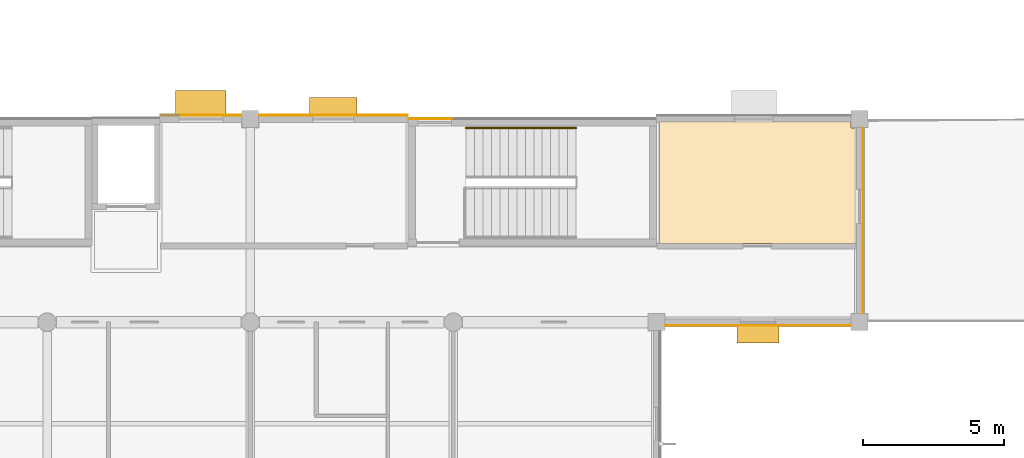
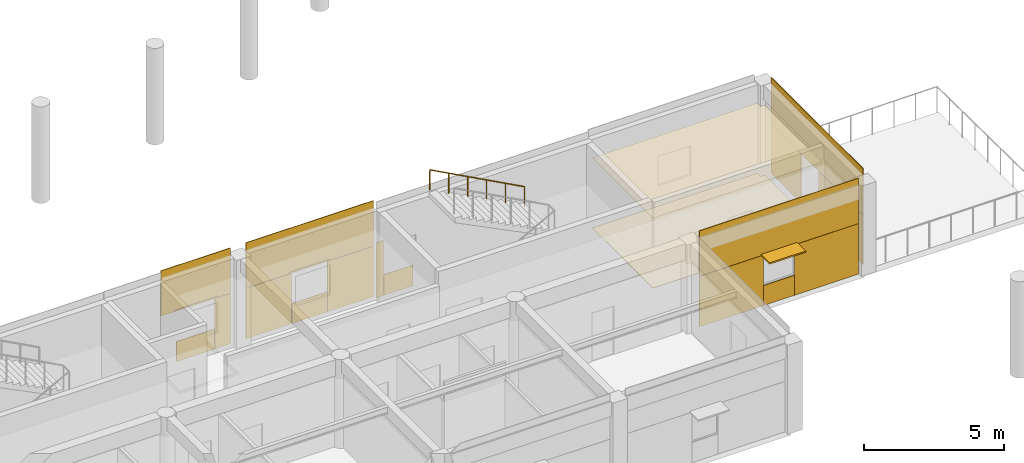
# One storey, part 44 of 55: 18 coverings, 3 shading devices, 1 railing.
"""IFC4 building model written with IfcOpenShell, lengths in metres."""

from ifc_helpers import new_model, si_unit, direction, frame, origin, origin_2d, place, context, subcontext, project, spatial, polyline, rectangle, circle, outline, extrude, material, layer, layer_set, type_object, element, save


model = new_model("IFC4")

# Units and contexts
model_context = context("Model", 3, precision=1e-05, world=origin(), true_north=direction((0.0, 1.0)))
body_context = subcontext(model_context, "Body", "Model", "MODEL_VIEW")
ifc_project = project(units=[si_unit("LENGTHUNIT", "METRE"), si_unit("AREAUNIT", "SQUARE_METRE"), si_unit("VOLUMEUNIT", "CUBIC_METRE"), si_unit("PLANEANGLEUNIT", "RADIAN"), si_unit("MASSUNIT", "GRAM", prefix="KILO")], contexts=[model_context])

# Site, building, storey
site_placement = place(None, origin())
site = spatial("IfcSite", under=ifc_project, at=site_placement, CompositionType="ELEMENT")
building_placement = place(site_placement, origin())
building = spatial("IfcBuilding", under=site, at=building_placement, Name="Namkhue Oval Health Centre", CompositionType="ELEMENT")
storey_placement = place(building_placement, frame((0.0, 0.0, 9.60009765625)))
storey = spatial("IfcBuildingStorey", under=building, at=storey_placement, Name="L02", CompositionType="ELEMENT", Elevation=9.60009765625)

# Coverings
ifc_material_1 = material(Name="Acoustic mineral-fibre cleanroom ceiling", Category="gypsum")
ifc_layer_1 = layer(ifc_material_1, 0.02001953125)
ifc_layer_set_1 = layer_set([ifc_layer_1], Name="Acoustic mineral-fibre cleanroom ceiling")
covering_type_1 = type_object("IfcCoveringType", Name="ACOUSTIC CLEANROOM CEILING 20", PredefinedType="CEILING", material=ifc_layer_set_1)
covering_1_placement = place(storey_placement, frame((0.0, 0.0, 3.0498046875)))
element("IfcCovering", 1, at=covering_1_placement, inside=storey, type_object=covering_type_1, Name="Acoustic Ceiling L02-509 Cognitive Behavioural Therapy Room", PredefinedType="CEILING", context=body_context, shape_type="SweptSolid", body=[
    extrude(outline(polyline([(122.47998046875, 24.3798828125), (122.47998046875, 28.715087890625), (129.2900390625, 28.715087890625), (129.2900390625, 28.489990234375), (129.455078125, 28.489990234375), (129.455078125, 24.3798828125), (122.47998046875, 24.3798828125)])), origin(), (0.0, 0.0, 1.0), 0.02001953125),
])
ifc_material_2 = material(Name="Homogeneous anti-bacterial clinical vinyl flooring", Category="plastic")
ifc_layer_2 = layer(ifc_material_2, 0.014892578125)
ifc_layer_set_2 = layer_set([ifc_layer_2], Name="Homogeneous anti-bacterial clinical vinyl flooring")
covering_type_2 = type_object("IfcCoveringType", Name="CLINICAL ANTIBACTERIAL VINYL FLOORING 15", PredefinedType="FLOORING", material=ifc_layer_set_2)
covering_2_placement = place(storey_placement, origin())
element("IfcCovering", 2, at=covering_2_placement, inside=storey, type_object=covering_type_2, Name="Clinical Flooring L02-509 Cognitive Behavioural Therapy Room", PredefinedType="FLOORING", context=body_context, shape_type="SweptSolid", body=[
    extrude(outline(polyline([(122.47998046875, 24.3798828125), (122.47998046875, 28.715087890625), (129.2900390625, 28.715087890625), (129.2900390625, 28.489990234375), (129.455078125, 28.489990234375), (129.455078125, 24.3798828125), (122.47998046875, 24.3798828125)])), origin(), (0.0, 0.0, 1.0), 0.014892578125),
])

# Railing
ifc_material_3 = material(Name="Brushed stainless steel 304 tubular handrail", Category="steel")
railing_type = type_object("IfcRailingType", Name="INTERIOR STAIR HANDRAIL 900", PredefinedType="HANDRAIL", material=ifc_material_3)
railing_placement = place(storey_placement, frame((119.550048828125, 28.47998046875, 2.099853515625)))
element("IfcRailing", 3, at=railing_placement, inside=storey, type_object=railing_type, Name="Stair ST-10 L02 Flight 2 Handrail", PredefinedType="HANDRAIL", context=body_context, shape_type="SweptSolid", body=[
    extrude(circle(Radius=0.02392578125, at=origin_2d()), frame((0.0, 0.0, 0.8759765625), z_axis=(-0.880469330154, 0.0, 0.474103109733), x_axis=(0.0, -1.0, 0.0)), (0.0, 0.0, 1.0), 4.4296875),
    extrude(circle(Radius=0.02099609375, at=origin_2d()), origin(), (0.0, 0.0, 1.0), 0.851806640625),
    extrude(circle(Radius=0.02099609375, at=origin_2d()), frame((-0.780029296875, 0.0, 0.419921875)), (0.0, 0.0, 1.0), 0.851806640625),
    extrude(circle(Radius=0.02099609375, at=origin_2d()), frame((-1.56005859375, 0.0, 0.840087890625)), (0.0, 0.0, 1.0), 0.851806640625),
    extrude(circle(Radius=0.02099609375, at=origin_2d()), frame((-2.340087890625, 0.0, 1.260009765625)), (0.0, 0.0, 1.0), 0.851806640625),
    extrude(circle(Radius=0.02099609375, at=origin_2d()), frame((-3.1201171875, 0.0, 1.68017578125)), (0.0, 0.0, 1.0), 0.851806640625),
    extrude(circle(Radius=0.02099609375, at=origin_2d()), frame((-3.900146484375, 0.0, 2.10009765625)), (0.0, 0.0, 1.0), 0.851806640625),
])

# Shading devices
ifc_material_4 = material(Name="Anodised aluminium EN AW-6063 T6", Category="aluminium")
ifc_layer_3 = layer(ifc_material_4, 0.06005859375)
ifc_layer_set_3 = layer_set([ifc_layer_3], Name="Anodised aluminium EN AW-6063 T6")
shading_device_type_1 = type_object("IfcShadingDeviceType", Name="MONSOON SUN LOUVRE 900", PredefinedType="JALOUSIE", material=ifc_layer_set_3)
shading_device_1_placement = place(storey_placement, frame((106.2529296875, 29.364990234375, 2.219970703125), z_axis=(0.0, 0.0, 1.0), x_axis=(-1.0, 0.0, 0.0)))
element("IfcShadingDevice", 4, at=shading_device_1_placement, inside=storey, type_object=shading_device_type_1, Name="Volume V5 L02 Window Monsoon Louvre 274", PredefinedType="JALOUSIE", context=body_context, shape_type="SweptSolid", body=[
    extrude(rectangle(XDim=1.7900390625, YDim=0.89990234375, at=origin_2d()), origin(), (0.0, 0.0, 1.0), 0.06005859375),
])
ifc_layer_4 = layer(ifc_material_4, 0.050048828125)
ifc_layer_set_4 = layer_set([ifc_layer_4], Name="Anodised aluminium EN AW-6063 T6")
shading_device_type_2 = type_object("IfcShadingDeviceType", Name="STORM SHUTTER LOUVRE 650", PredefinedType="SHUTTER", material=ifc_layer_set_4)
shading_device_2_placement = place(storey_placement, frame((126.0, 21.179931640625, 2.219970703125), z_axis=(0.0, 0.0, 1.0), x_axis=(1.0, 0.0, 0.0)))
element("IfcShadingDevice", 5, at=shading_device_2_placement, inside=storey, type_object=shading_device_type_2, Name="Volume V5 L02 Window Monsoon Louvre 271", PredefinedType="SHUTTER", context=body_context, shape_type="SweptSolid", body=[
    extrude(rectangle(XDim=1.489990234375, YDim=0.64990234375, at=origin_2d()), origin(), (0.0, 0.0, 1.0), 0.06005859375),
])
shading_device_3_placement = place(storey_placement, frame((110.947021484375, 29.235107421875, 2.219970703125), z_axis=(0.0, 0.0, 1.0), x_axis=(-1.0, 0.0, 0.0)))
element("IfcShadingDevice", 6, at=shading_device_3_placement, inside=storey, type_object=shading_device_type_2, Name="Volume V5 L02 Window Monsoon Louvre 273", PredefinedType="SHUTTER", context=body_context, shape_type="SweptSolid", body=[
    extrude(rectangle(XDim=1.68994140625, YDim=0.64990234375, at=origin_2d()), origin(), (0.0, 0.0, 1.0), 0.06005859375),
])

# Coverings
ifc_material_5 = material(Name="White glass-fibre reinforced concrete GRC rainscreen cladding", Category="concrete")
ifc_layer_5 = layer(ifc_material_5, 0.02490234375)
ifc_layer_set_5 = layer_set([ifc_layer_5], Name="White glass-fibre reinforced concrete GRC rainscreen cladding")
covering_type_3 = type_object("IfcCoveringType", Name="WHITE GRC RAINSCREEN CLADDING 25", PredefinedType="CLADDING", material=ifc_layer_set_5)
covering_3_placement = place(storey_placement, frame((126.0, 21.48291015625, 2.21484375), z_axis=(0.0, 0.0, 1.0), x_axis=(1.0, 0.0, 0.0)))
element("IfcCovering", 7, at=covering_3_placement, inside=storey, type_object=covering_type_3, Name="Volume V5 L02 Facade 132 White GRC Cladding 1", PredefinedType="CLADDING", context=body_context, shape_type="SweptSolid", body=[
    extrude(rectangle(XDim=6.568115234375, YDim=0.02490234375, at=origin_2d()), origin(), (0.0, 0.0, 1.0), 1.97509765625),
])
covering_4_placement = place(storey_placement, frame((124.0380859375, 21.48291015625, 0.009765625), z_axis=(0.0, 0.0, 1.0), x_axis=(1.0, 0.0, 0.0)))
element("IfcCovering", 8, at=covering_4_placement, inside=storey, type_object=covering_type_3, Name="Volume V5 L02 Facade 132 White GRC Cladding 2", PredefinedType="CLADDING", context=body_context, shape_type="SweptSolid", body=[
    extrude(rectangle(XDim=2.64404296875, YDim=0.02490234375, at=origin_2d()), origin(), (0.0, 0.0, 1.0), 2.199951171875),
])
covering_5_placement = place(storey_placement, frame((126.0, 21.48291015625, 0.010009765625), z_axis=(0.0, 0.0, 1.0), x_axis=(1.0, 0.0, 0.0)))
element("IfcCovering", 9, at=covering_5_placement, inside=storey, type_object=covering_type_3, Name="Volume V5 L02 Facade 132 White GRC Cladding 3", PredefinedType="CLADDING", context=body_context, shape_type="SweptSolid", body=[
    extrude(rectangle(XDim=1.27001953125, YDim=0.02490234375, at=origin_2d()), origin(), (0.0, 0.0, 1.0), 0.875),
])
covering_6_placement = place(storey_placement, frame((127.9619140625, 21.48291015625, 0.009765625), z_axis=(0.0, 0.0, 1.0), x_axis=(1.0, 0.0, 0.0)))
element("IfcCovering", 10, at=covering_6_placement, inside=storey, type_object=covering_type_3, Name="Volume V5 L02 Facade 132 White GRC Cladding 4", PredefinedType="CLADDING", context=body_context, shape_type="SweptSolid", body=[
    extrude(rectangle(XDim=2.64404296875, YDim=0.02490234375, at=origin_2d()), origin(), (0.0, 0.0, 1.0), 2.199951171875),
])
covering_7_placement = place(storey_placement, frame((129.721923828125, 25.199951171875, 2.1650390625), z_axis=(0.0, 0.0, 1.0), x_axis=(0.0, 1.0, 0.0)))
element("IfcCovering", 11, at=covering_7_placement, inside=storey, type_object=covering_type_3, Name="Volume V5 L02 Facade 133 White GRC Cladding 1", PredefinedType="CLADDING", context=body_context, shape_type="SweptSolid", body=[
    extrude(rectangle(XDim=6.568115234375, YDim=0.02490234375, at=origin_2d()), origin(), (0.0, 0.0, 1.0), 2.02490234375),
])
covering_8_placement = place(storey_placement, frame((129.721923828125, 23.49560546875, 0.010009765625), z_axis=(0.0, 0.0, 1.0), x_axis=(0.0, 1.0, 0.0)))
element("IfcCovering", 12, at=covering_8_placement, inside=storey, type_object=covering_type_3, Name="Volume V5 L02 Facade 133 White GRC Cladding 2", PredefinedType="CLADDING", context=body_context, shape_type="SweptSolid", body=[
    extrude(rectangle(XDim=3.158935546875, YDim=0.02490234375, at=origin_2d()), origin(), (0.0, 0.0, 1.0), 2.14990234375),
])
covering_9_placement = place(storey_placement, frame((129.721923828125, 27.404541015625, 0.010009765625), z_axis=(0.0, 0.0, 1.0), x_axis=(0.0, 1.0, 0.0)))
element("IfcCovering", 13, at=covering_9_placement, inside=storey, type_object=covering_type_3, Name="Volume V5 L02 Facade 133 White GRC Cladding 3", PredefinedType="CLADDING", context=body_context, shape_type="SweptSolid", body=[
    extrude(rectangle(XDim=2.158935546875, YDim=0.02490234375, at=origin_2d()), origin(), (0.0, 0.0, 1.0), 2.14990234375),
])
covering_10_placement = place(storey_placement, frame((110.947021484375, 28.931884765625, 2.21484375), z_axis=(0.0, 0.0, 1.0), x_axis=(-1.0, 0.0, 0.0)))
element("IfcCovering", 14, at=covering_10_placement, inside=storey, type_object=covering_type_3, Name="Volume V5 L02 Facade 135 White GRC Cladding 1", PredefinedType="CLADDING", context=body_context, shape_type="SweptSolid", body=[
    extrude(rectangle(XDim=5.261962890625, YDim=0.02490234375, at=origin_2d()), origin(), (0.0, 0.0, 1.0), 1.97509765625),
])
covering_11_placement = place(storey_placement, frame((112.632568359375, 28.931884765625, 0.009765625), z_axis=(0.0, 0.0, 1.0), x_axis=(-1.0, 0.0, 0.0)))
element("IfcCovering", 15, at=covering_11_placement, inside=storey, type_object=covering_type_3, Name="Volume V5 L02 Facade 135 White GRC Cladding 2", PredefinedType="CLADDING", context=body_context, shape_type="SweptSolid", body=[
    extrude(rectangle(XDim=1.89111328125, YDim=0.02490234375, at=origin_2d()), origin(), (0.0, 0.0, 1.0), 2.199951171875),
])
covering_12_placement = place(storey_placement, frame((110.947021484375, 28.931884765625, 0.010009765625), z_axis=(0.0, 0.0, 1.0), x_axis=(-1.0, 0.0, 0.0)))
element("IfcCovering", 16, at=covering_12_placement, inside=storey, type_object=covering_type_3, Name="Volume V5 L02 Facade 135 White GRC Cladding 3", PredefinedType="CLADDING", context=body_context, shape_type="SweptSolid", body=[
    extrude(rectangle(XDim=1.469970703125, YDim=0.02490234375, at=origin_2d()), origin(), (0.0, 0.0, 1.0), 0.875),
])
covering_13_placement = place(storey_placement, frame((109.261474609375, 28.931884765625, 0.009765625), z_axis=(0.0, 0.0, 1.0), x_axis=(-1.0, 0.0, 0.0)))
element("IfcCovering", 17, at=covering_13_placement, inside=storey, type_object=covering_type_3, Name="Volume V5 L02 Facade 135 White GRC Cladding 4", PredefinedType="CLADDING", context=body_context, shape_type="SweptSolid", body=[
    extrude(rectangle(XDim=1.89111328125, YDim=0.02490234375, at=origin_2d()), origin(), (0.0, 0.0, 1.0), 2.199951171875),
])
covering_14_placement = place(storey_placement, frame((106.2529296875, 28.93701171875, 2.21484375), z_axis=(0.0, 0.0, 1.0), x_axis=(-1.0, 0.0, 0.0)))
element("IfcCovering", 18, at=covering_14_placement, inside=storey, type_object=covering_type_3, Name="Volume V5 L02 Facade 136 White GRC Cladding 1", PredefinedType="CLADDING", context=body_context, shape_type="SweptSolid", body=[
    extrude(rectangle(XDim=2.862060546875, YDim=0.02490234375, at=origin_2d()), origin(), (0.0, 0.0, 1.0), 1.97509765625),
])
covering_15_placement = place(storey_placement, frame((107.363525390625, 28.93701171875, 0.009765625), z_axis=(0.0, 0.0, 1.0), x_axis=(-1.0, 0.0, 0.0)))
element("IfcCovering", 19, at=covering_15_placement, inside=storey, type_object=covering_type_3, Name="Volume V5 L02 Facade 136 White GRC Cladding 2", PredefinedType="CLADDING", context=body_context, shape_type="SweptSolid", body=[
    extrude(rectangle(XDim=0.64111328125, YDim=0.02490234375, at=origin_2d()), origin(), (0.0, 0.0, 1.0), 2.199951171875),
])
covering_16_placement = place(storey_placement, frame((106.2529296875, 28.93701171875, 0.010009765625), z_axis=(0.0, 0.0, 1.0), x_axis=(-1.0, 0.0, 0.0)))
element("IfcCovering", 20, at=covering_16_placement, inside=storey, type_object=covering_type_3, Name="Volume V5 L02 Facade 136 White GRC Cladding 3", PredefinedType="CLADDING", context=body_context, shape_type="SweptSolid", body=[
    extrude(rectangle(XDim=1.570068359375, YDim=0.02490234375, at=origin_2d()), origin(), (0.0, 0.0, 1.0), 0.875),
])
covering_17_placement = place(storey_placement, frame((114.5400390625, 28.81201171875, 0.010009765625), z_axis=(0.0, 0.0, 1.0), x_axis=(-1.0, 0.0, 0.0)))
element("IfcCovering", 21, at=covering_17_placement, inside=storey, type_object=covering_type_3, Name="Core SC-10 L02 Core N White GRC Cladding 3", PredefinedType="CLADDING", context=body_context, shape_type="SweptSolid", body=[
    extrude(rectangle(XDim=1.199951171875, YDim=0.02490234375, at=origin_2d()), origin(), (0.0, 0.0, 1.0), 0.89501953125),
])
covering_18_placement = place(storey_placement, frame((113.777587890625, 28.81201171875, 0.010009765625), z_axis=(0.0, 0.0, 1.0), x_axis=(-1.0, 0.0, 0.0)))
element("IfcCovering", 22, at=covering_18_placement, inside=storey, type_object=covering_type_3, Name="Core SC-10 L02 Core N White GRC Cladding 4", PredefinedType="CLADDING", context=body_context, shape_type="SweptSolid", body=[
    extrude(rectangle(XDim=0.31494140625, YDim=0.02490234375, at=origin_2d()), origin(), (0.0, 0.0, 1.0), 2.39990234375),
])

save(model, "model.ifc")
